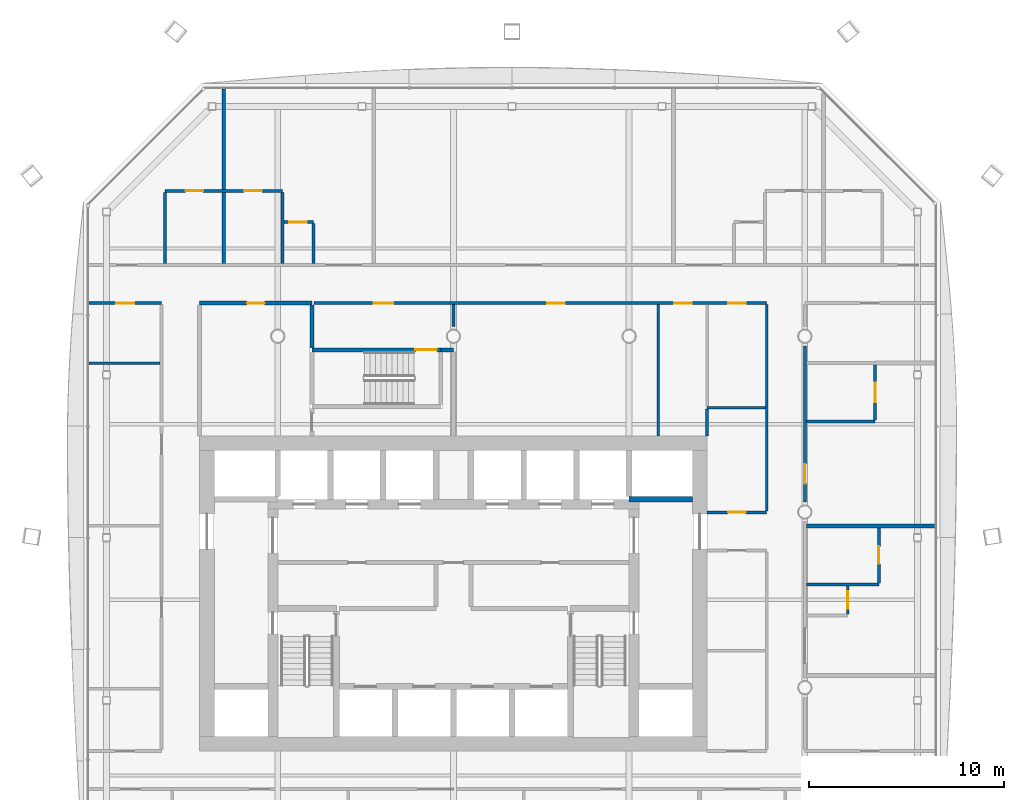
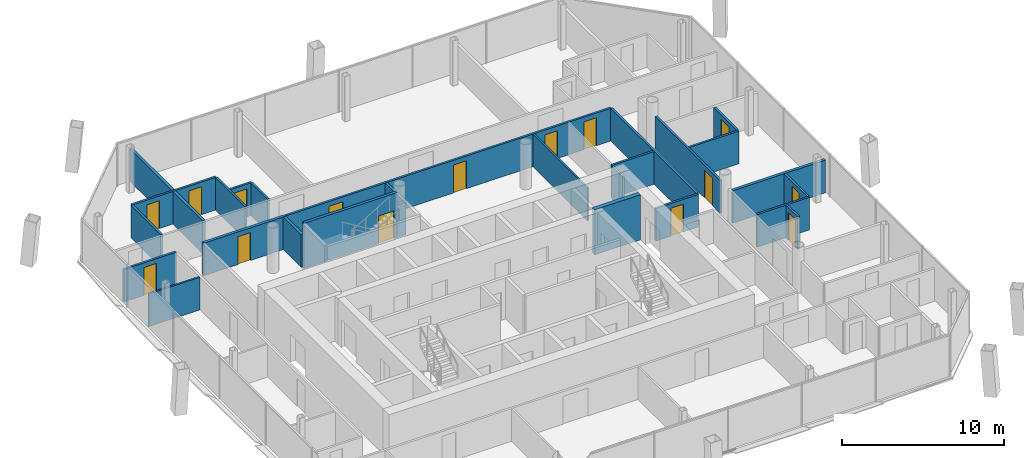
# One storey, part 14 of 18: 27 walls, 15 doors, 15 openings.
"""IFC4 building model written with IfcOpenShell, lengths in metres."""

from ifc_helpers import new_model, si_unit, direction, frame, frame_2d, origin, place, context, subcontext, project, spatial, rectangle, extrude, material, layer, layer_set, type_object, element, fill, save


model = new_model("IFC4")

# Units and contexts
model_context = context("Model", 3, precision=1e-05, world=origin(), true_north=direction((0.0, 1.0)))
body_context = subcontext(model_context, "Body", "Model", "MODEL_VIEW")
ifc_project = project(units=[si_unit("LENGTHUNIT", "METRE"), si_unit("AREAUNIT", "SQUARE_METRE"), si_unit("VOLUMEUNIT", "CUBIC_METRE"), si_unit("PLANEANGLEUNIT", "RADIAN"), si_unit("MASSUNIT", "GRAM", prefix="KILO")], contexts=[model_context])

# Site, building, storey
site_placement = place(None, origin())
site = spatial("IfcSite", under=ifc_project, at=site_placement, CompositionType="ELEMENT")
building_placement = place(site_placement, origin())
building = spatial("IfcBuilding", under=site, at=building_placement, Name="Tskaro Facet Tower", CompositionType="ELEMENT")
storey_placement = place(building_placement, frame((0.0, 0.0, 155.5)))
storey = spatial("IfcBuildingStorey", under=building, at=storey_placement, Name="L38", CompositionType="ELEMENT", Elevation=155.5)

# Walls
ifc_material_1 = material(Name="Concrete C60/75", Category="concrete")
ifc_layer_1 = layer(ifc_material_1, 0.300048828125, Name="Concrete C60/75")
ifc_layer_set_1 = layer_set([ifc_layer_1], Name="Concrete C60/75")
wall_type_1 = type_object("IfcWallType", Name="CORE-SHAFT", PredefinedType="SHEAR", material=ifc_layer_set_1)
wall_1_placement = place(storey_placement, frame((12.25, 0.64990234375, 0.0), z_axis=(0.0, 0.0, 1.0), x_axis=(-1.0, 0.0, 0.0)))
element("IfcWall", 1, at=wall_1_placement, inside=storey, type_object=wall_type_1, Name="Shaft wall W025", PredefinedType="SHEAR", context=body_context, shape_type="SweptSolid", body=[
    extrude(rectangle(XDim=3.25, YDim=0.300048828125, at=frame_2d((1.625, 0.0))), origin(), (0.0, 0.0, 1.0), 3.39990234375),
])
ifc_material_2 = material(Name="Gypsum board on steel studs", Category="steel")
ifc_layer_2 = layer(ifc_material_2, 0.125, Name="Gypsum board on steel studs")
ifc_layer_set_2 = layer_set([ifc_layer_2], Name="Gypsum board on steel studs")
wall_type_2 = type_object("IfcWallType", Name="PART", PredefinedType="PARTITIONING", material=ifc_layer_set_2)
wall_2_placement = place(storey_placement, frame((-18.674072265625, 7.6259765625, 0.0), z_axis=(0.0, 0.0, 1.0), x_axis=(1.0, 0.0, 0.0)))
element("IfcWall", 2, at=wall_2_placement, inside=storey, type_object=wall_type_2, Name="Partition W029", PredefinedType="PARTITIONING", context=body_context, shape_type="SweptSolid", body=[
    extrude(rectangle(XDim=3.649169921875, YDim=0.125, at=frame_2d((1.82470703125, 0.0))), origin(), (0.0, 0.0, 1.0), 2.4599609375),
])
wall_3_placement = place(storey_placement, frame((10.5, 3.89990234375, 0.0), z_axis=(0.0, 0.0, 1.0), x_axis=(0.0, 1.0, 0.0)))
element("IfcWall", 3, at=wall_3_placement, inside=storey, type_object=wall_type_2, Name="Partition W074", PredefinedType="PARTITIONING", context=body_context, shape_type="SweptSolid", body=[
    extrude(rectangle(XDim=6.72509765625, YDim=0.125, at=frame_2d((3.362548828125, 0.0))), origin(), (0.0, 0.0, 1.0), 2.4599609375),
])
ifc_layer_3 = layer(ifc_material_2, 0.14990234375, Name="Gypsum board on steel studs")
ifc_layer_set_3 = layer_set([ifc_layer_3], Name="Gypsum board on steel studs")
wall_type_3 = type_object("IfcWallType", Name="PART-CORR", PredefinedType="PARTITIONING", material=ifc_layer_set_3)
wall_4_placement = place(storey_placement, frame((18.074951171875, -3.716064453125, 0.0), z_axis=(0.0, 0.0, 1.0), x_axis=(1.0, 0.0, 0.0)))
element("IfcWall", 4, at=wall_4_placement, inside=storey, type_object=wall_type_3, Name="Corridor wall W018", PredefinedType="PARTITIONING", context=body_context, shape_type="SweptSolid", body=[
    extrude(rectangle(XDim=3.72509765625, YDim=0.14990234375, at=frame_2d((1.862548828125, 0.0))), origin(), (0.0, 0.0, 1.0), 2.4599609375),
])

# Wall, opening, door
wall_5_placement = place(storey_placement, frame((13.0, -0.02490234375, 0.0), z_axis=(0.0, 0.0, 1.0), x_axis=(1.0, 0.0, 0.0)))
wall_5 = element("IfcWall", 5, at=wall_5_placement, inside=storey, type_object=wall_type_3, Name="Corridor wall W023", PredefinedType="PARTITIONING", context=body_context, shape_type="SweptSolid", body=[
    extrude(rectangle(XDim=3.050048828125, YDim=0.14990234375, at=frame_2d((1.52490234375, 0.0))), origin(), (0.0, 0.0, 1.0), 2.4599609375),
])
opening_1_placement = place(wall_5_placement, frame((1.074951171875, 0.0, 0.0)))
opening_1 = element("IfcOpeningElement", 6, at=opening_1_placement, cuts=wall_5, Name="Opening T11-D25", PredefinedType="OPENING", context=body_context, shape_type="SweptSolid", body=[
    extrude(rectangle(XDim=0.89990234375, YDim=2.10009765625, at=frame_2d((0.449951171875, 1.050048828125))), frame((0.0, 0.0849609375, 0.0), z_axis=(0.0, -1.0, 0.0), x_axis=(1.0, 0.0, 0.0)), (0.0, 0.0, 1.0), 0.169921875),
])
ifc_material_3 = material(Name="Timber", Category="wood")
door_type_1 = type_object("IfcDoorType", Name="D-ROOM", OperationType="NOTDEFINED", PredefinedType="DOOR", material=ifc_material_3)
door_1_placement = place(opening_1_placement, origin())
door_1 = element("IfcDoor", 7, at=door_1_placement, inside=storey, type_object=door_type_1, Name="Door T11-D25", OperationType="SINGLE_SWING_LEFT", OverallHeight=2.10009765625, OverallWidth=0.89990234375, PredefinedType="DOOR", context=body_context, shape_type="SweptSolid", body=[
    extrude(rectangle(XDim=0.89990234375, YDim=2.10009765625, at=frame_2d((0.449951171875, 1.050048828125))), frame((0.0, 0.02490234375, 0.0), z_axis=(0.0, -1.0, 0.0), x_axis=(1.0, 0.0, 0.0)), (0.0, 0.0, 1.0), 0.050048828125),
])
fill(opening_1, door_1)

# Walls
wall_6_placement = place(storey_placement, frame((18.074951171875, 4.6259765625, 0.0), z_axis=(0.0, 0.0, 1.0), x_axis=(1.0, 0.0, 0.0)))
element("IfcWall", 8, at=wall_6_placement, inside=storey, type_object=wall_type_3, Name="Corridor wall W026", PredefinedType="PARTITIONING", context=body_context, shape_type="SweptSolid", body=[
    extrude(rectangle(XDim=3.525146484375, YDim=0.14990234375, at=frame_2d((1.7626953125, 0.0))), origin(), (0.0, 0.0, 1.0), 2.4599609375),
])
wall_7_placement = place(storey_placement, frame((13.0, 5.3369140625, 0.0), z_axis=(0.0, 0.0, 1.0), x_axis=(1.0, 0.0, 0.0)))
element("IfcWall", 9, at=wall_7_placement, inside=storey, type_object=wall_type_3, Name="Corridor wall W027", PredefinedType="PARTITIONING", context=body_context, shape_type="SweptSolid", body=[
    extrude(rectangle(XDim=2.97509765625, YDim=0.14990234375, at=frame_2d((1.487548828125, 0.0))), origin(), (0.0, 0.0, 1.0), 2.4599609375),
])

# Wall, opening, door
wall_8_placement = place(storey_placement, frame((-14.949951171875, 10.699951171875, 0.0), z_axis=(0.0, 0.0, 1.0), x_axis=(-1.0, 0.0, 0.0)))
wall_8 = element("IfcWall", 10, at=wall_8_placement, inside=storey, type_object=wall_type_3, Name="Corridor wall W034", PredefinedType="PARTITIONING", context=body_context, shape_type="SweptSolid", body=[
    extrude(rectangle(XDim=3.72412109375, YDim=0.14990234375, at=frame_2d((1.862060546875, 0.0))), origin(), (0.0, 0.0, 1.0), 2.4599609375),
])
opening_2_placement = place(wall_8_placement, frame((1.412109375, 0.0, 0.0)))
opening_2 = element("IfcOpeningElement", 11, at=opening_2_placement, cuts=wall_8, Name="Opening T11-D32", PredefinedType="OPENING", context=body_context, shape_type="SweptSolid", body=[
    extrude(rectangle(XDim=0.89990234375, YDim=2.10009765625, at=frame_2d((0.449951171875, 1.050048828125))), frame((0.0, 0.0849609375, 0.0), z_axis=(0.0, -1.0, 0.0), x_axis=(1.0, 0.0, 0.0)), (0.0, 0.0, 1.0), 0.169921875),
])
door_2_placement = place(opening_2_placement, origin())
door_2 = element("IfcDoor", 12, at=door_2_placement, inside=storey, type_object=door_type_1, Name="Door T11-D32", OperationType="SINGLE_SWING_RIGHT", OverallHeight=2.10009765625, OverallWidth=0.89990234375, PredefinedType="DOOR", context=body_context, shape_type="SweptSolid", body=[
    extrude(rectangle(XDim=0.89990234375, YDim=2.10009765625, at=frame_2d((0.449951171875, 1.050048828125))), frame((0.0, 0.02490234375, 0.0), z_axis=(0.0, -1.0, 0.0), x_axis=(1.0, 0.0, 0.0)), (0.0, 0.0, 1.0), 0.050048828125),
])
fill(opening_2, door_2)

# Wall, openings, doors
wall_9_placement = place(storey_placement, frame((16.050048828125, 10.699951171875, 0.0), z_axis=(0.0, 0.0, 1.0), x_axis=(-1.0, 0.0, 0.0)))
wall_9 = element("IfcWall", 13, at=wall_9_placement, inside=storey, type_object=wall_type_3, Name="Corridor wall W036", PredefinedType="PARTITIONING", context=body_context, shape_type="SweptSolid", body=[
    extrude(rectangle(XDim=23.199951171875, YDim=0.14990234375, at=frame_2d((11.60009765625, 0.0))), origin(), (0.0, 0.0, 1.0), 2.4599609375),
])
opening_3_placement = place(wall_9_placement, frame((19.125, 0.0, 0.0)))
opening_3 = element("IfcOpeningElement", 14, at=opening_3_placement, cuts=wall_9, Name="Opening T11-D34", PredefinedType="OPENING", context=body_context, shape_type="SweptSolid", body=[
    extrude(rectangle(XDim=1.0, YDim=2.10009765625, at=frame_2d((0.5, 1.050048828125))), frame((0.0, 0.0849609375, 0.0), z_axis=(0.0, -1.0, 0.0), x_axis=(1.0, 0.0, 0.0)), (0.0, 0.0, 1.0), 0.169921875),
])
opening_4_placement = place(wall_9_placement, frame((10.35009765625, 0.0, 0.0)))
opening_4 = element("IfcOpeningElement", 15, at=opening_4_placement, cuts=wall_9, Name="Opening T11-D35", PredefinedType="OPENING", context=body_context, shape_type="SweptSolid", body=[
    extrude(rectangle(XDim=0.89990234375, YDim=2.10009765625, at=frame_2d((0.449951171875, 1.050048828125))), frame((0.0, 0.0849609375, 0.0), z_axis=(0.0, -1.0, 0.0), x_axis=(1.0, 0.0, 0.0)), (0.0, 0.0, 1.0), 0.169921875),
])
opening_5_placement = place(wall_9_placement, frame((3.85009765625, 0.0, 0.0)))
opening_5 = element("IfcOpeningElement", 16, at=opening_5_placement, cuts=wall_9, Name="Opening T11-D36", PredefinedType="OPENING", context=body_context, shape_type="SweptSolid", body=[
    extrude(rectangle(XDim=0.89990234375, YDim=2.10009765625, at=frame_2d((0.449951171875, 1.050048828125))), frame((0.0, 0.0849609375, 0.0), z_axis=(0.0, -1.0, 0.0), x_axis=(1.0, 0.0, 0.0)), (0.0, 0.0, 1.0), 0.169921875),
])
opening_6_placement = place(wall_9_placement, frame((1.074951171875, 0.0, 0.0)))
opening_6 = element("IfcOpeningElement", 17, at=opening_6_placement, cuts=wall_9, Name="Opening T11-D37", PredefinedType="OPENING", context=body_context, shape_type="SweptSolid", body=[
    extrude(rectangle(XDim=0.89990234375, YDim=2.10009765625, at=frame_2d((0.449951171875, 1.050048828125))), frame((0.0, 0.0849609375, 0.0), z_axis=(0.0, -1.0, 0.0), x_axis=(1.0, 0.0, 0.0)), (0.0, 0.0, 1.0), 0.169921875),
])
ifc_material_4 = material(Name="Steel", Category="steel")
door_type_2 = type_object("IfcDoorType", Name="D-LOBBY", OperationType="NOTDEFINED", PredefinedType="DOOR", material=ifc_material_4)
door_3_placement = place(opening_3_placement, origin())
door_3 = element("IfcDoor", 18, at=door_3_placement, inside=storey, type_object=door_type_2, Name="Stair lobby door", OperationType="SINGLE_SWING_RIGHT", OverallHeight=2.10009765625, OverallWidth=1.0, PredefinedType="DOOR", context=body_context, shape_type="SweptSolid", body=[
    extrude(rectangle(XDim=1.0, YDim=2.10009765625, at=frame_2d((0.5, 1.050048828125))), frame((0.0, 0.02490234375, 0.0), z_axis=(0.0, -1.0, 0.0), x_axis=(1.0, 0.0, 0.0)), (0.0, 0.0, 1.0), 0.050048828125),
])
fill(opening_3, door_3)
door_4_placement = place(opening_4_placement, origin())
door_4 = element("IfcDoor", 19, at=door_4_placement, inside=storey, type_object=door_type_1, Name="Door T11-D35", OperationType="SINGLE_SWING_RIGHT", OverallHeight=2.10009765625, OverallWidth=0.89990234375, PredefinedType="DOOR", context=body_context, shape_type="SweptSolid", body=[
    extrude(rectangle(XDim=0.89990234375, YDim=2.10009765625, at=frame_2d((0.449951171875, 1.050048828125))), frame((0.0, 0.02490234375, 0.0), z_axis=(0.0, -1.0, 0.0), x_axis=(1.0, 0.0, 0.0)), (0.0, 0.0, 1.0), 0.050048828125),
])
fill(opening_4, door_4)
door_5_placement = place(opening_5_placement, origin())
door_5 = element("IfcDoor", 20, at=door_5_placement, inside=storey, type_object=door_type_1, Name="Door T11-D36", OperationType="SINGLE_SWING_RIGHT", OverallHeight=2.10009765625, OverallWidth=0.89990234375, PredefinedType="DOOR", context=body_context, shape_type="SweptSolid", body=[
    extrude(rectangle(XDim=0.89990234375, YDim=2.10009765625, at=frame_2d((0.449951171875, 1.050048828125))), frame((0.0, 0.02490234375, 0.0), z_axis=(0.0, -1.0, 0.0), x_axis=(1.0, 0.0, 0.0)), (0.0, 0.0, 1.0), 0.050048828125),
])
fill(opening_5, door_5)
door_6_placement = place(opening_6_placement, origin())
door_6 = element("IfcDoor", 21, at=door_6_placement, inside=storey, type_object=door_type_1, Name="Door T11-D37", OperationType="SINGLE_SWING_RIGHT", OverallHeight=2.10009765625, OverallWidth=0.89990234375, PredefinedType="DOOR", context=body_context, shape_type="SweptSolid", body=[
    extrude(rectangle(XDim=0.89990234375, YDim=2.10009765625, at=frame_2d((0.449951171875, 1.050048828125))), frame((0.0, 0.02490234375, 0.0), z_axis=(0.0, -1.0, 0.0), x_axis=(1.0, 0.0, 0.0)), (0.0, 0.0, 1.0), 0.050048828125),
])
fill(opening_6, door_6)

# Wall, opening, door
wall_10_placement = place(storey_placement, frame((-7.16796875, 14.85009765625, 0.0), z_axis=(0.0, 0.0, 1.0), x_axis=(-1.0, 0.0, 0.0)))
wall_10 = element("IfcWall", 22, at=wall_10_placement, inside=storey, type_object=wall_type_3, Name="Corridor wall W039", PredefinedType="PARTITIONING", context=body_context, shape_type="SweptSolid", body=[
    extrude(rectangle(XDim=1.525146484375, YDim=0.14990234375, at=frame_2d((0.7626953125, 0.0))), origin(), (0.0, 0.0, 1.0), 2.4599609375),
])
opening_7_placement = place(wall_10_placement, frame((0.35009765625, 0.0, 0.0)))
opening_7 = element("IfcOpeningElement", 23, at=opening_7_placement, cuts=wall_10, Name="Opening T11-D44", PredefinedType="OPENING", context=body_context, shape_type="SweptSolid", body=[
    extrude(rectangle(XDim=0.89990234375, YDim=2.10009765625, at=frame_2d((0.449951171875, 1.050048828125))), frame((0.0, 0.0849609375, 0.0), z_axis=(0.0, -1.0, 0.0), x_axis=(1.0, 0.0, 0.0)), (0.0, 0.0, 1.0), 0.169921875),
])
door_7_placement = place(opening_7_placement, origin())
door_7 = element("IfcDoor", 24, at=door_7_placement, inside=storey, type_object=door_type_1, Name="Door T11-D44", OperationType="SINGLE_SWING_RIGHT", OverallHeight=2.10009765625, OverallWidth=0.89990234375, PredefinedType="DOOR", context=body_context, shape_type="SweptSolid", body=[
    extrude(rectangle(XDim=0.89990234375, YDim=2.10009765625, at=frame_2d((0.449951171875, 1.050048828125))), frame((0.0, 0.02490234375, 0.0), z_axis=(0.0, -1.0, 0.0), x_axis=(1.0, 0.0, 0.0)), (0.0, 0.0, 1.0), 0.050048828125),
])
fill(opening_7, door_7)

# Wall, openings, doors
wall_11_placement = place(storey_placement, frame((-8.76806640625, 16.449951171875, 0.0), z_axis=(0.0, 0.0, 1.0), x_axis=(-1.0, 0.0, 0.0)))
wall_11 = element("IfcWall", 25, at=wall_11_placement, inside=storey, type_object=wall_type_3, Name="Corridor wall W041", PredefinedType="PARTITIONING", context=body_context, shape_type="SweptSolid", body=[
    extrude(rectangle(XDim=6.0, YDim=0.14990234375, at=frame_2d((3.0, 0.0))), origin(), (0.0, 0.0, 1.0), 2.4599609375),
])
opening_8_placement = place(wall_11_placement, frame((4.050048828125, 0.0, 0.0)))
opening_8 = element("IfcOpeningElement", 26, at=opening_8_placement, cuts=wall_11, Name="Opening T11-D46", PredefinedType="OPENING", context=body_context, shape_type="SweptSolid", body=[
    extrude(rectangle(XDim=0.89990234375, YDim=2.10009765625, at=frame_2d((0.449951171875, 1.050048828125))), frame((0.0, 0.0849609375, 0.0), z_axis=(0.0, -1.0, 0.0), x_axis=(1.0, 0.0, 0.0)), (0.0, 0.0, 1.0), 0.169921875),
])
opening_9_placement = place(wall_11_placement, frame((1.050048828125, 0.0, 0.0)))
opening_9 = element("IfcOpeningElement", 27, at=opening_9_placement, cuts=wall_11, Name="Opening T11-D47", PredefinedType="OPENING", context=body_context, shape_type="SweptSolid", body=[
    extrude(rectangle(XDim=0.89990234375, YDim=2.10009765625, at=frame_2d((0.449951171875, 1.050048828125))), frame((0.0, 0.0849609375, 0.0), z_axis=(0.0, -1.0, 0.0), x_axis=(1.0, 0.0, 0.0)), (0.0, 0.0, 1.0), 0.169921875),
])
door_8_placement = place(opening_8_placement, origin())
door_8 = element("IfcDoor", 28, at=door_8_placement, inside=storey, type_object=door_type_1, Name="Door T11-D46", OperationType="SINGLE_SWING_RIGHT", OverallHeight=2.10009765625, OverallWidth=0.89990234375, PredefinedType="DOOR", context=body_context, shape_type="SweptSolid", body=[
    extrude(rectangle(XDim=0.89990234375, YDim=2.10009765625, at=frame_2d((0.449951171875, 1.050048828125))), frame((0.0, 0.02490234375, 0.0), z_axis=(0.0, -1.0, 0.0), x_axis=(1.0, 0.0, 0.0)), (0.0, 0.0, 1.0), 0.050048828125),
])
fill(opening_8, door_8)
door_9_placement = place(opening_9_placement, origin())
door_9 = element("IfcDoor", 29, at=door_9_placement, inside=storey, type_object=door_type_1, Name="Door T11-D47", OperationType="SINGLE_SWING_RIGHT", OverallHeight=2.10009765625, OverallWidth=0.89990234375, PredefinedType="DOOR", context=body_context, shape_type="SweptSolid", body=[
    extrude(rectangle(XDim=0.89990234375, YDim=2.10009765625, at=frame_2d((0.449951171875, 1.050048828125))), frame((0.0, 0.02490234375, 0.0), z_axis=(0.0, -1.0, 0.0), x_axis=(1.0, 0.0, 0.0)), (0.0, 0.0, 1.0), 0.050048828125),
])
fill(opening_9, door_9)

# Walls
for number, where, z_axis, x_axis, name in (
    (30, (-14.76806640625, 12.72509765625, 0.0), (0.0, 0.0, 1.0), (0.0, 1.0, 0.0), "Corridor wall W044"),
    (31, (-8.76806640625, 12.72509765625, 0.0), (0.0, 0.0, 1.0), (0.0, 1.0, 0.0), "Corridor wall W049"),
):
    element("IfcWall", number, at=place(storey_placement, frame(where, z_axis=z_axis, x_axis=x_axis)), inside=storey, type_object=wall_type_3, Name=name, PredefinedType="PARTITIONING", context=body_context, shape_type="SweptSolid", body=[
        extrude(rectangle(XDim=3.64990234375, YDim=0.14990234375, at=frame_2d((1.824951171875, 0.0))), origin(), (0.0, 0.0, 1.0), 2.4599609375),
    ])
wall_12_placement = place(storey_placement, frame((-7.16796875, 12.72509765625, 0.0), z_axis=(0.0, 0.0, 1.0), x_axis=(0.0, 1.0, 0.0)))
element("IfcWall", 32, at=wall_12_placement, inside=storey, type_object=wall_type_3, Name="Corridor wall W053", PredefinedType="PARTITIONING", context=body_context, shape_type="SweptSolid", body=[
    extrude(rectangle(XDim=2.0498046875, YDim=0.14990234375, at=frame_2d((1.02490234375, 0.0))), origin(), (0.0, 0.0, 1.0), 2.4599609375),
])
wall_13_placement = place(storey_placement, frame((0.0, 9.5, 0.0), z_axis=(0.0, 0.0, 1.0), x_axis=(0.0, 1.0, 0.0)))
element("IfcWall", 33, at=wall_13_placement, inside=storey, type_object=wall_type_3, Name="Corridor wall W065", PredefinedType="PARTITIONING", context=body_context, shape_type="SweptSolid", body=[
    extrude(rectangle(XDim=1.125, YDim=0.14990234375, at=frame_2d((0.5625, 0.0))), origin(), (0.0, 0.0, 1.0), 2.4599609375),
])
wall_14_placement = place(storey_placement, frame((13.0, 3.89990234375, 0.0), z_axis=(0.0, 0.0, 1.0), x_axis=(0.0, 1.0, 0.0)))
element("IfcWall", 34, at=wall_14_placement, inside=storey, type_object=wall_type_3, Name="Corridor wall W077", PredefinedType="PARTITIONING", context=body_context, shape_type="SweptSolid", body=[
    extrude(rectangle(XDim=1.362060546875, YDim=0.14990234375, at=frame_2d((0.68115234375, 0.0))), origin(), (0.0, 0.0, 1.0), 2.4599609375),
])
wall_15_placement = place(storey_placement, frame((16.050048828125, 0.050048828125, 0.0), z_axis=(0.0, 0.0, 1.0), x_axis=(0.0, 1.0, 0.0)))
element("IfcWall", 35, at=wall_15_placement, inside=storey, type_object=wall_type_3, Name="Corridor wall W082", PredefinedType="PARTITIONING", context=body_context, shape_type="SweptSolid", body=[
    extrude(rectangle(XDim=10.574951171875, YDim=0.14990234375, at=frame_2d((5.28759765625, 0.0))), origin(), (0.0, 0.0, 1.0), 2.4599609375),
])

# Wall, opening, door
wall_16_placement = place(storey_placement, frame((18.0, 8.5, 0.0), z_axis=(0.0, 0.0, 1.0), x_axis=(0.0, -1.0, 0.0)))
wall_16 = element("IfcWall", 36, at=wall_16_placement, inside=storey, type_object=wall_type_3, Name="Corridor wall W086", PredefinedType="PARTITIONING", context=body_context, shape_type="SweptSolid", body=[
    extrude(rectangle(XDim=8.0, YDim=0.14990234375, at=frame_2d((4.0, 0.0))), origin(), (0.0, 0.0, 1.0), 2.4599609375),
])
opening_10_placement = place(wall_16_placement, frame((6.044921875, 0.0, 0.0)))
opening_10 = element("IfcOpeningElement", 37, at=opening_10_placement, cuts=wall_16, Name="Opening T11-D28", PredefinedType="OPENING", context=body_context, shape_type="SweptSolid", body=[
    extrude(rectangle(XDim=1.0, YDim=2.10009765625, at=frame_2d((0.5, 1.050048828125))), frame((0.0, 0.0849609375, 0.0), z_axis=(0.0, -1.0, 0.0), x_axis=(1.0, 0.0, 0.0)), (0.0, 0.0, 1.0), 0.169921875),
])
door_type_3 = type_object("IfcDoorType", Name="D-ENTRY", OperationType="NOTDEFINED", PredefinedType="DOOR", material=ifc_material_3)
door_10_placement = place(opening_10_placement, origin())
door_10 = element("IfcDoor", 38, at=door_10_placement, inside=storey, type_object=door_type_3, Name="Door T11-D28", OperationType="SINGLE_SWING_LEFT", OverallHeight=2.10009765625, OverallWidth=1.0, PredefinedType="DOOR", context=body_context, shape_type="SweptSolid", body=[
    extrude(rectangle(XDim=1.0, YDim=2.10009765625, at=frame_2d((0.5, 1.050048828125))), frame((0.0, 0.02490234375, 0.0), z_axis=(0.0, -1.0, 0.0), x_axis=(1.0, 0.0, 0.0)), (0.0, 0.0, 1.0), 0.050048828125),
])
fill(opening_10, door_10)

wall_17_placement = place(storey_placement, frame((20.199951171875, -5.240966796875, 0.0), z_axis=(0.0, 0.0, 1.0), x_axis=(0.0, 1.0, 0.0)))
wall_17 = element("IfcWall", 39, at=wall_17_placement, inside=storey, type_object=wall_type_3, Name="Corridor wall W090", PredefinedType="PARTITIONING", context=body_context, shape_type="SweptSolid", body=[
    extrude(rectangle(XDim=1.449951171875, YDim=0.14990234375, at=frame_2d((0.72509765625, 0.0))), origin(), (0.0, 0.0, 1.0), 2.4599609375),
])
opening_11_placement = place(wall_17_placement, frame((0.27490234375, 0.0, 0.0)))
opening_11 = element("IfcOpeningElement", 40, at=opening_11_placement, cuts=wall_17, Name="Opening T11-D16", PredefinedType="OPENING", context=body_context, shape_type="SweptSolid", body=[
    extrude(rectangle(XDim=0.89990234375, YDim=2.10009765625, at=frame_2d((0.449951171875, 1.050048828125))), frame((0.0, 0.0849609375, 0.0), z_axis=(0.0, -1.0, 0.0), x_axis=(1.0, 0.0, 0.0)), (0.0, 0.0, 1.0), 0.169921875),
])
door_11_placement = place(opening_11_placement, origin())
door_11 = element("IfcDoor", 41, at=door_11_placement, inside=storey, type_object=door_type_1, Name="Door T11-D16", OperationType="SINGLE_SWING_LEFT", OverallHeight=2.10009765625, OverallWidth=0.89990234375, PredefinedType="DOOR", context=body_context, shape_type="SweptSolid", body=[
    extrude(rectangle(XDim=0.89990234375, YDim=2.10009765625, at=frame_2d((0.449951171875, 1.050048828125))), frame((0.0, 0.02490234375, 0.0), z_axis=(0.0, -1.0, 0.0), x_axis=(1.0, 0.0, 0.0)), (0.0, 0.0, 1.0), 0.050048828125),
])
fill(opening_11, door_11)

wall_18_placement = place(storey_placement, frame((21.60009765625, 4.700927734375, 0.0), z_axis=(0.0, 0.0, 1.0), x_axis=(0.0, 1.0, 0.0)))
wall_18 = element("IfcWall", 42, at=wall_18_placement, inside=storey, type_object=wall_type_3, Name="Corridor wall W093", PredefinedType="PARTITIONING", context=body_context, shape_type="SweptSolid", body=[
    extrude(rectangle(XDim=2.824951171875, YDim=0.14990234375, at=frame_2d((1.41259765625, 0.0))), origin(), (0.0, 0.0, 1.0), 2.4599609375),
])
opening_12_placement = place(wall_18_placement, frame((0.925048828125, 0.0, 0.0)))
opening_12 = element("IfcOpeningElement", 43, at=opening_12_placement, cuts=wall_18, Name="Opening T11-D31", PredefinedType="OPENING", context=body_context, shape_type="SweptSolid", body=[
    extrude(rectangle(XDim=1.0, YDim=2.10009765625, at=frame_2d((0.5, 1.050048828125))), frame((0.0, 0.0849609375, 0.0), z_axis=(0.0, -1.0, 0.0), x_axis=(1.0, 0.0, 0.0)), (0.0, 0.0, 1.0), 0.169921875),
])
door_type_4 = type_object("IfcDoorType", Name="D-ROOM-WIDE", OperationType="NOTDEFINED", PredefinedType="DOOR", material=ifc_material_3)
door_12_placement = place(opening_12_placement, origin())
door_12 = element("IfcDoor", 44, at=door_12_placement, inside=storey, type_object=door_type_4, Name="Door T11-D31", OperationType="SINGLE_SWING_LEFT", OverallHeight=2.10009765625, OverallWidth=1.0, PredefinedType="DOOR", context=body_context, shape_type="SweptSolid", body=[
    extrude(rectangle(XDim=1.0, YDim=2.10009765625, at=frame_2d((0.5, 1.050048828125))), frame((0.0, 0.02490234375, 0.0), z_axis=(0.0, -1.0, 0.0), x_axis=(1.0, 0.0, 0.0)), (0.0, 0.0, 1.0), 0.050048828125),
])
fill(opening_12, door_12)

wall_19_placement = place(storey_placement, frame((21.800048828125, -3.64111328125, 0.0), z_axis=(0.0, 0.0, 1.0), x_axis=(0.0, 1.0, 0.0)))
wall_19 = element("IfcWall", 45, at=wall_19_placement, inside=storey, type_object=wall_type_3, Name="Corridor wall W094", PredefinedType="PARTITIONING", context=body_context, shape_type="SweptSolid", body=[
    extrude(rectangle(XDim=2.8251953125, YDim=0.14990234375, at=frame_2d((1.41259765625, 0.0))), origin(), (0.0, 0.0, 1.0), 2.4599609375),
])
opening_13_placement = place(wall_19_placement, frame((0.97509765625, 0.0, 0.0)))
opening_13 = element("IfcOpeningElement", 46, at=opening_13_placement, cuts=wall_19, Name="Opening T11-D19", PredefinedType="OPENING", context=body_context, shape_type="SweptSolid", body=[
    extrude(rectangle(XDim=0.89990234375, YDim=2.10009765625, at=frame_2d((0.449951171875, 1.050048828125))), frame((0.0, 0.0849609375, 0.0), z_axis=(0.0, -1.0, 0.0), x_axis=(1.0, 0.0, 0.0)), (0.0, 0.0, 1.0), 0.169921875),
])
door_13_placement = place(opening_13_placement, origin())
door_13 = element("IfcDoor", 47, at=door_13_placement, inside=storey, type_object=door_type_1, Name="Door T11-D19", OperationType="SINGLE_SWING_LEFT", OverallHeight=2.10009765625, OverallWidth=0.89990234375, PredefinedType="DOOR", context=body_context, shape_type="SweptSolid", body=[
    extrude(rectangle(XDim=0.89990234375, YDim=2.10009765625, at=frame_2d((0.449951171875, 1.050048828125))), frame((0.0, 0.02490234375, 0.0), z_axis=(0.0, -1.0, 0.0), x_axis=(1.0, 0.0, 0.0)), (0.0, 0.0, 1.0), 0.050048828125),
])
fill(opening_13, door_13)

# Walls
ifc_layer_4 = layer(ifc_material_2, 0.199951171875, Name="Gypsum board on steel studs")
ifc_layer_set_4 = layer_set([ifc_layer_4], Name="Gypsum board on steel studs")
wall_type_4 = type_object("IfcWallType", Name="PART-DEMISING", PredefinedType="PARTITIONING", material=ifc_layer_set_4)
wall_20_placement = place(storey_placement, frame((18.074951171875, -0.716064453125, 0.0), z_axis=(0.0, 0.0, 1.0), x_axis=(1.0, 0.0, 0.0)))
element("IfcWall", 48, at=wall_20_placement, inside=storey, type_object=wall_type_4, Name="Guest room wall W021", PredefinedType="PARTITIONING", context=body_context, shape_type="SweptSolid", body=[
    extrude(rectangle(XDim=6.59912109375, YDim=0.199951171875, at=frame_2d((3.299560546875, 0.0))), origin(), (0.0, 0.0, 1.0), 2.4599609375),
])
wall_21_placement = place(storey_placement, frame((-11.76806640625, 12.72509765625, 0.0), z_axis=(0.0, 0.0, 1.0), x_axis=(0.0, 1.0, 0.0)))
element("IfcWall", 49, at=wall_21_placement, inside=storey, type_object=wall_type_4, Name="Guest room wall W047", PredefinedType="PARTITIONING", context=body_context, shape_type="SweptSolid", body=[
    extrude(rectangle(XDim=8.948974609375, YDim=0.199951171875, at=frame_2d((4.474609375, 0.0))), origin(), (0.0, 0.0, 1.0), 2.4599609375),
])

# Wall, opening, door
ifc_layer_5 = layer(ifc_material_1, 0.199951171875, Name="Concrete C60/75")
ifc_layer_set_5 = layer_set([ifc_layer_5], Name="Concrete C60/75")
wall_type_5 = type_object("IfcWallType", Name="STAIR-WALL", PredefinedType="SHEAR", material=ifc_layer_set_5)
wall_22_placement = place(storey_placement, frame((-0.64990234375, 8.300048828125, 0.0), z_axis=(0.0, 0.0, 1.0), x_axis=(-1.0, 0.0, 0.0)))
wall_22 = element("IfcWall", 50, at=wall_22_placement, inside=storey, type_object=wall_type_5, Name="Stair wall W032", PredefinedType="SHEAR", context=body_context, shape_type="SweptSolid", body=[
    extrude(rectangle(XDim=6.60009765625, YDim=0.199951171875, at=frame_2d((3.300048828125, 0.0))), origin(), (0.0, 0.0, 1.0), 3.39990234375),
])
opening_14_placement = place(wall_22_placement, frame((0.199951171875, 0.0, 0.0)))
opening_14 = element("IfcOpeningElement", 51, at=opening_14_placement, cuts=wall_22, Name="Opening ST-3-D1", PredefinedType="OPENING", context=body_context, shape_type="SweptSolid", body=[
    extrude(rectangle(XDim=1.10009765625, YDim=2.10009765625, at=frame_2d((0.550048828125, 1.050048828125))), frame((0.0, 0.10986328125, 0.0), z_axis=(0.0, -1.0, 0.0), x_axis=(1.0, 0.0, 0.0)), (0.0, 0.0, 1.0), 0.219970703125),
])
door_type_5 = type_object("IfcDoorType", Name="D-STAIR", OperationType="NOTDEFINED", PredefinedType="DOOR", material=ifc_material_4)
door_14_placement = place(opening_14_placement, origin())
door_14 = element("IfcDoor", 52, at=door_14_placement, inside=storey, type_object=door_type_5, Name="Stair door 3", OperationType="SINGLE_SWING_RIGHT", OverallHeight=2.10009765625, OverallWidth=1.10009765625, PredefinedType="DOOR", context=body_context, shape_type="SweptSolid", body=[
    extrude(rectangle(XDim=1.10009765625, YDim=2.10009765625, at=frame_2d((0.550048828125, 1.050048828125))), frame((0.0, 0.02490234375, 0.0), z_axis=(0.0, -1.0, 0.0), x_axis=(1.0, 0.0, 0.0)), (0.0, 0.0, 1.0), 0.050048828125),
])
fill(opening_14, door_14)

# Wall
ifc_material_5 = material(Name="Concrete C20/25", Category="concrete")
ifc_layer_6 = layer(ifc_material_5, 0.199951171875, Name="Concrete C20/25")
ifc_layer_set_6 = layer_set([ifc_layer_6], Name="Concrete C20/25")
wall_type_6 = type_object("IfcWallType", Name="WALL-RISER", PredefinedType="SOLIDWALL", material=ifc_layer_set_6)
wall_23_placement = place(storey_placement, frame((-0.64990234375, 8.300048828125, 0.0), z_axis=(0.0, 0.0, 1.0), x_axis=(1.0, 0.0, 0.0)))
element("IfcWall", 53, at=wall_23_placement, inside=storey, type_object=wall_type_6, Name="Riser room wall W033", PredefinedType="SOLIDWALL", context=body_context, shape_type="SweptSolid", body=[
    extrude(rectangle(XDim=0.64990234375, YDim=0.199951171875, at=frame_2d((0.324951171875, 0.0))), origin(), (0.0, 0.0, 1.0), 2.4599609375),
])

# Wall, opening, door
wall_24_placement = place(storey_placement, frame((-7.25, 10.699951171875, 0.0), z_axis=(0.0, 0.0, 1.0), x_axis=(-1.0, 0.0, 0.0)))
wall_24 = element("IfcWall", 54, at=wall_24_placement, inside=storey, type_object=wall_type_6, Name="Riser room wall W035", PredefinedType="SOLIDWALL", context=body_context, shape_type="SweptSolid", body=[
    extrude(rectangle(XDim=5.75, YDim=0.199951171875, at=frame_2d((2.875, 0.0))), origin(), (0.0, 0.0, 1.0), 2.4599609375),
])
opening_15_placement = place(wall_24_placement, frame((2.425048828125, 0.0, 0.0)))
opening_15 = element("IfcOpeningElement", 55, at=opening_15_placement, cuts=wall_24, Name="Opening T11-D33", PredefinedType="OPENING", context=body_context, shape_type="SweptSolid", body=[
    extrude(rectangle(XDim=0.89990234375, YDim=2.10009765625, at=frame_2d((0.449951171875, 1.050048828125))), frame((0.0, 0.10986328125, 0.0), z_axis=(0.0, -1.0, 0.0), x_axis=(1.0, 0.0, 0.0)), (0.0, 0.0, 1.0), 0.219970703125),
])
door_type_6 = type_object("IfcDoorType", Name="D-RISER", OperationType="NOTDEFINED", PredefinedType="DOOR", material=ifc_material_4)
door_15_placement = place(opening_15_placement, origin())
door_15 = element("IfcDoor", 56, at=door_15_placement, inside=storey, type_object=door_type_6, Name="Door T11-D33", OperationType="SINGLE_SWING_RIGHT", OverallHeight=2.10009765625, OverallWidth=0.89990234375, PredefinedType="DOOR", context=body_context, shape_type="SweptSolid", body=[
    extrude(rectangle(XDim=0.89990234375, YDim=2.10009765625, at=frame_2d((0.449951171875, 1.050048828125))), frame((0.0, 0.02490234375, 0.0), z_axis=(0.0, -1.0, 0.0), x_axis=(1.0, 0.0, 0.0)), (0.0, 0.0, 1.0), 0.050048828125),
])
fill(opening_15, door_15)

# Wall
wall_25_placement = place(storey_placement, frame((-7.25, 8.39990234375, 0.0), z_axis=(0.0, 0.0, 1.0), x_axis=(0.0, 1.0, 0.0)))
element("IfcWall", 57, at=wall_25_placement, inside=storey, type_object=wall_type_6, Name="Riser room wall W052", PredefinedType="SOLIDWALL", context=body_context, shape_type="SweptSolid", body=[
    extrude(rectangle(XDim=2.2001953125, YDim=0.199951171875, at=frame_2d((1.10009765625, 0.0))), origin(), (0.0, 0.0, 1.0), 2.4599609375),
])

save(model, "model.ifc")
